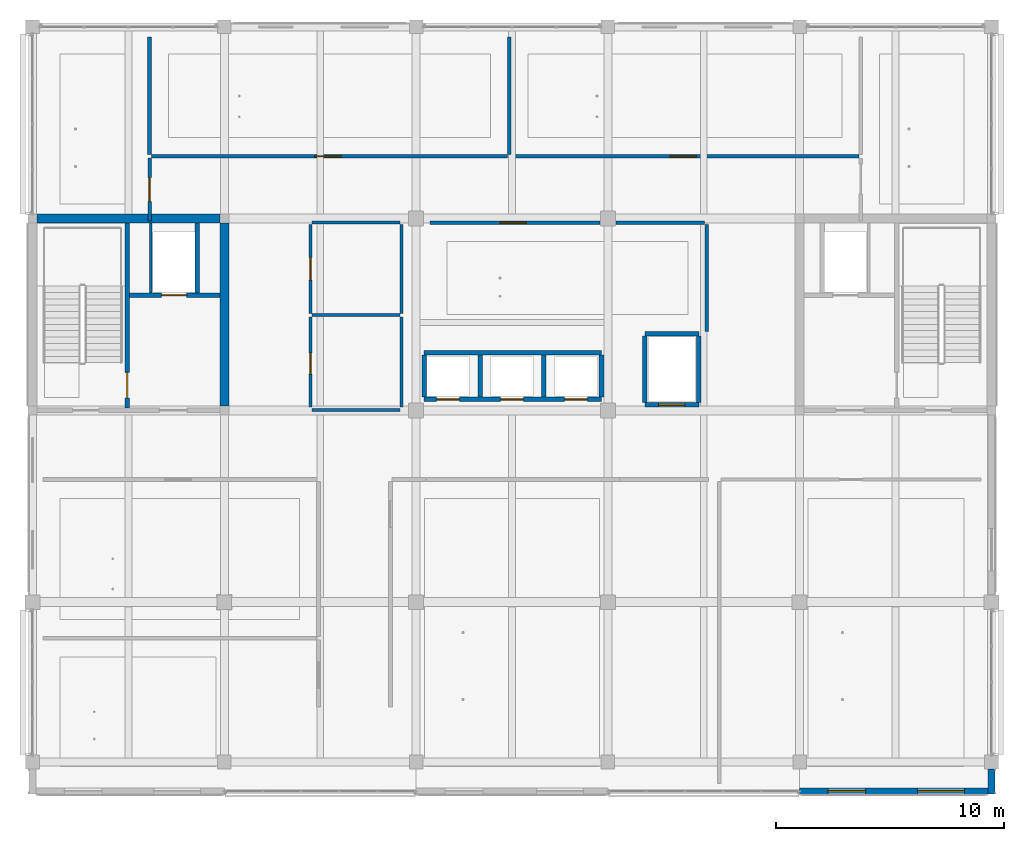
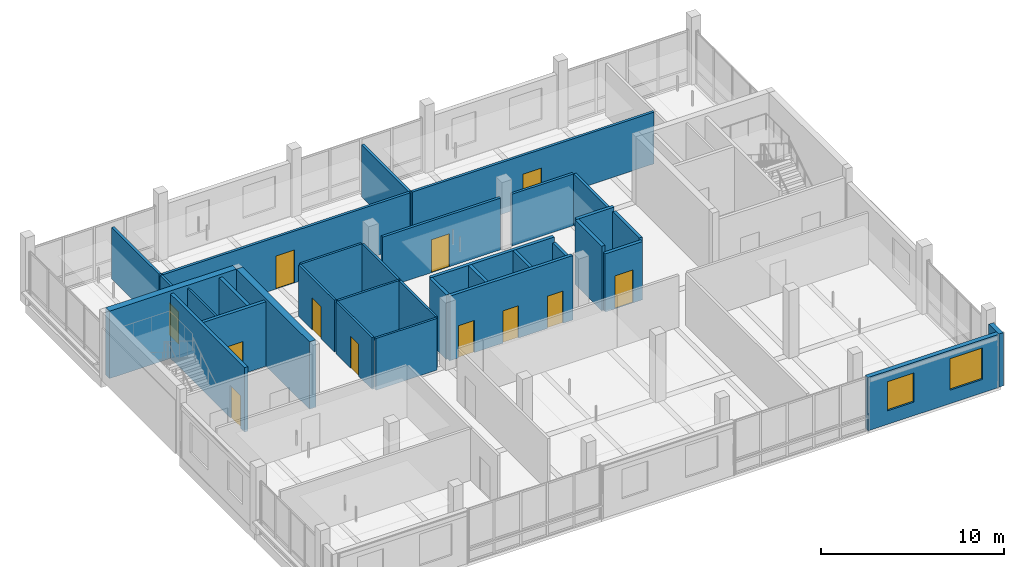
# One storey, part 12 of 30: 33 walls, 12 doors, 2 windows, 14 openings.
"""IFC4 building model written with IfcOpenShell, lengths in metres."""

from ifc_helpers import new_model, si_unit, direction, frame, frame_2d, origin, place, context, subcontext, project, spatial, rectangle, extrude, material, layer, layer_set, type_object, element, fill, save


model = new_model("IFC4")

# Units and contexts
model_context = context("Model", 3, precision=1e-05, world=origin(), true_north=direction((0.0, 1.0)))
body_context = subcontext(model_context, "Body", "Model", "MODEL_VIEW")
ifc_project = project(units=[si_unit("LENGTHUNIT", "METRE"), si_unit("AREAUNIT", "SQUARE_METRE"), si_unit("VOLUMEUNIT", "CUBIC_METRE"), si_unit("PLANEANGLEUNIT", "RADIAN"), si_unit("MASSUNIT", "GRAM", prefix="KILO")], contexts=[model_context])

# Site, building, storey
site_placement = place(None, origin())
site = spatial("IfcSite", under=ifc_project, at=site_placement, CompositionType="ELEMENT")
building_placement = place(site_placement, origin())
building = spatial("IfcBuilding", under=site, at=building_placement, Name="Telukmera Botanical Conservatory", CompositionType="ELEMENT")
storey_placement = place(building_placement, frame((0.0, 0.0, 60.0)))
storey = spatial("IfcBuildingStorey", under=building, at=storey_placement, Name="L13", CompositionType="ELEMENT", Elevation=60.0)

# Wall, openings, windows
ifc_material_1 = material(Name="Precast concrete C40/50", Category="concrete")
ifc_layer_1 = layer(ifc_material_1, 0.280029296875)
ifc_layer_set_1 = layer_set([ifc_layer_1], Name="Precast concrete C40/50")
wall_type_1 = type_object("IfcWallType", Name="Exterior Laboratory Modular Precast Wall 280", PredefinedType="ELEMENTEDWALL", material=ifc_layer_set_1)
wall_1_placement = place(storey_placement, frame((92.402099609375, 9.320068359375, 0.0), z_axis=(0.0, 0.0, 1.0), x_axis=(1.0, 0.0, 0.0)))
wall_1 = element("IfcWall", 1, at=wall_1_placement, inside=storey, type_object=wall_type_1, Name="Exterior Precast Wall EW06 V4:L13:S5", PredefinedType="ELEMENTEDWALL", context=body_context, shape_type="SweptSolid", body=[
    extrude(rectangle(XDim=8.245849609375, YDim=0.280029296875, at=frame_2d((4.123046875, 0.0))), origin(), (0.0, 0.0, 1.0), 3.550048828125),
])
opening_1_placement = place(wall_1_placement, frame((1.236572265625, 0.0, 0.89990234375)))
opening_1 = element("IfcOpeningElement", 2, at=opening_1_placement, cuts=wall_1, Name="Opening W10", PredefinedType="OPENING", context=body_context, shape_type="SweptSolid", body=[
    extrude(rectangle(XDim=1.64990234375, YDim=1.949951171875, at=frame_2d((0.824951171875, 0.97509765625))), frame((0.0, 0.14990234375, 0.0), z_axis=(0.0, -1.0, 0.0), x_axis=(1.0, 0.0, 0.0)), (0.0, 0.0, 1.0), 0.300048828125),
])
opening_2_placement = place(wall_1_placement, frame((5.159423828125, 0.0, 0.89990234375)))
opening_2 = element("IfcOpeningElement", 3, at=opening_2_placement, cuts=wall_1, Name="Opening W14", PredefinedType="OPENING", context=body_context, shape_type="SweptSolid", body=[
    extrude(rectangle(XDim=2.050048828125, YDim=2.10009765625, at=frame_2d((1.02490234375, 1.050048828125))), frame((0.0, 0.14990234375, 0.0), z_axis=(0.0, -1.0, 0.0), x_axis=(1.0, 0.0, 0.0)), (0.0, 0.0, 1.0), 0.300048828125),
])
ifc_material_2 = material(Name="Thermally broken anodised aluminium frame with low-E double glazing", Category="aluminium")
window_type_1 = type_object("IfcWindowType", Name="Double Horizontal Phytochemistry Lab Window 1650x1950", PartitioningType="DOUBLE_PANEL_HORIZONTAL", PredefinedType="WINDOW", material=ifc_material_2)
window_1_placement = place(opening_1_placement, origin())
window_1 = element("IfcWindow", 4, at=window_1_placement, inside=storey, type_object=window_type_1, Name="Facade Window W10 V4:L13:S5 1", OverallHeight=1.949951171875, OverallWidth=1.64990234375, PartitioningType="DOUBLE_PANEL_HORIZONTAL", PredefinedType="WINDOW", context=body_context, shape_type="SweptSolid", body=[
    extrude(rectangle(XDim=1.64990234375, YDim=1.949951171875, at=frame_2d((0.824951171875, 0.97509765625))), frame((0.0, 0.030029296875, 0.0), z_axis=(0.0, -1.0, 0.0), x_axis=(1.0, 0.0, 0.0)), (0.0, 0.0, 1.0), 0.06005859375),
])
fill(opening_1, window_1)
window_type_2 = type_object("IfcWindowType", Name="Triple Vertical Microscopy Lab Window 2050x2100", PartitioningType="TRIPLE_PANEL_VERTICAL", PredefinedType="WINDOW", material=ifc_material_2)
window_2_placement = place(opening_2_placement, origin())
window_2 = element("IfcWindow", 5, at=window_2_placement, inside=storey, type_object=window_type_2, Name="Facade Window W14 V4:L13:S5 2", OverallHeight=2.10009765625, OverallWidth=2.050048828125, PartitioningType="TRIPLE_PANEL_VERTICAL", PredefinedType="WINDOW", context=body_context, shape_type="SweptSolid", body=[
    extrude(rectangle(XDim=2.050048828125, YDim=2.10009765625, at=frame_2d((1.02490234375, 1.050048828125))), frame((0.0, 0.030029296875, 0.0), z_axis=(0.0, -1.0, 0.0), x_axis=(1.0, 0.0, 0.0)), (0.0, 0.0, 1.0), 0.06005859375),
])
fill(opening_2, window_2)

# Wall
ifc_material_3 = material(Name="Terracotta-faced precast concrete C40/50", Category="masonry")
ifc_layer_2 = layer(ifc_material_3, 0.300048828125)
ifc_layer_set_2 = layer_set([ifc_layer_2], Name="Terracotta-faced precast concrete C40/50")
wall_type_2 = type_object("IfcWallType", Name="Exterior Polychrome Terracotta Precast Wall 300", PredefinedType="SOLIDWALL", material=ifc_layer_set_2)
wall_2_placement = place(storey_placement, frame((100.800048828125, 9.199951171875, 0.0), z_axis=(0.0, 0.0, 1.0), x_axis=(0.0, 1.0, 0.0)))
element("IfcWall", 6, at=wall_2_placement, inside=storey, type_object=wall_type_2, Name="Exterior Precast Wall EW02 V4:L13:SEC", PredefinedType="SOLIDWALL", context=body_context, shape_type="SweptSolid", body=[
    extrude(rectangle(XDim=1.09814453125, YDim=0.300048828125, at=frame_2d((0.549072265625, 0.0))), origin(), (0.0, 0.0, 1.0), 3.550048828125),
])

# Wall, opening, door
ifc_material_4 = material(Name="Concrete C40/50", Category="concrete")
ifc_layer_3 = layer(ifc_material_4, 0.199951171875)
ifc_layer_set_3 = layer_set([ifc_layer_3], Name="Concrete C40/50")
wall_type_3 = type_object("IfcWallType", Name="WT-CORE-200", PredefinedType="SOLIDWALL", material=ifc_layer_set_3)
wall_3_placement = place(storey_placement, frame((62.949951171875, 26.10009765625, 0.0), z_axis=(0.0, 0.0, 1.0), x_axis=(0.0, 1.0, 0.0)))
wall_3 = element("IfcWall", 7, at=wall_3_placement, inside=storey, type_object=wall_type_3, Name="L13 Core C1 Stair-Lobby Wall", PredefinedType="SOLIDWALL", context=body_context, shape_type="SweptSolid", body=[
    extrude(rectangle(XDim=8.099853515625, YDim=0.199951171875, at=frame_2d((4.0498046875, 0.0))), origin(), (0.0, 0.0, 1.0), 4.300048828125),
])
opening_3_placement = place(wall_3_placement, frame((0.449951171875, 0.0, 0.0)))
opening_3 = element("IfcOpeningElement", 8, at=opening_3_placement, cuts=wall_3, Name="Opening FD60B", PredefinedType="OPENING", context=body_context, shape_type="SweptSolid", body=[
    extrude(rectangle(XDim=1.1201171875, YDim=2.14990234375, at=frame_2d((0.56005859375, 1.074951171875))), frame((0.0, 0.10986328125, 0.0), z_axis=(0.0, -1.0, 0.0), x_axis=(1.0, 0.0, 0.0)), (0.0, 0.0, 1.0), 0.219970703125),
])
ifc_material_5 = material(Name="Hardwood fire door", Category="wood")
door_type_1 = type_object("IfcDoorType", Name="DT-FD60-02", OperationType="NOTDEFINED", PredefinedType="DOOR", material=ifc_material_5)
door_1_placement = place(opening_3_placement, origin())
door_1 = element("IfcDoor", 9, at=door_1_placement, inside=storey, type_object=door_type_1, Name="L13 Firefighting Lobby C1 to ST1 Door", OperationType="SINGLE_SWING_RIGHT", OverallHeight=2.14990234375, OverallWidth=1.1201171875, PredefinedType="DOOR", context=body_context, shape_type="SweptSolid", body=[
    extrude(rectangle(XDim=1.1201171875, YDim=2.14990234375, at=frame_2d((0.56005859375, 1.074951171875))), frame((0.0, 0.02490234375, 0.0), z_axis=(0.0, -1.0, 0.0), x_axis=(1.0, 0.0, 0.0)), (0.0, 0.0, 1.0), 0.050048828125),
])
fill(opening_3, door_1)

wall_4_placement = place(storey_placement, frame((63.050048828125, 31.050048828125, 0.0), z_axis=(0.0, 0.0, 1.0), x_axis=(1.0, 0.0, 0.0)))
wall_4 = element("IfcWall", 10, at=wall_4_placement, inside=storey, type_object=wall_type_3, Name="L13 Fire Lift FL1 Shaft Front Wall", PredefinedType="SOLIDWALL", context=body_context, shape_type="SweptSolid", body=[
    extrude(rectangle(XDim=3.949951171875, YDim=0.199951171875, at=frame_2d((1.97509765625, 0.0))), origin(), (0.0, 0.0, 1.0), 4.300048828125),
])
opening_4_placement = place(wall_4_placement, frame((1.39990234375, 0.0, 0.0)))
opening_4 = element("IfcOpeningElement", 11, at=opening_4_placement, cuts=wall_4, Name="Opening LD01", PredefinedType="OPENING", context=body_context, shape_type="SweptSolid", body=[
    extrude(rectangle(XDim=1.10009765625, YDim=2.14990234375, at=frame_2d((0.550048828125, 1.074951171875))), frame((0.0, 0.10986328125, 0.0), z_axis=(0.0, -1.0, 0.0), x_axis=(1.0, 0.0, 0.0)), (0.0, 0.0, 1.0), 0.219970703125),
])
ifc_material_6 = material(Name="Stainless steel 316", Category="steel")
door_type_2 = type_object("IfcDoorType", Name="DT-LD01", OperationType="SLIDING_TO_LEFT", PredefinedType="DOOR", material=ifc_material_6)
door_2_placement = place(opening_4_placement, frame((1.10009765625, 0.0, 0.0), z_axis=(0.0, 0.0, 1.0), x_axis=(-1.0, 0.0, 0.0)))
door_2 = element("IfcDoor", 12, at=door_2_placement, inside=storey, type_object=door_type_2, Name="L13 Lift Landing Door FL1", OperationType="SLIDING_TO_LEFT", OverallHeight=2.14990234375, OverallWidth=1.10009765625, PredefinedType="DOOR", context=body_context, shape_type="SweptSolid", body=[
    extrude(rectangle(XDim=1.10009765625, YDim=2.14990234375, at=frame_2d((0.550048828125, 1.074951171875))), frame((0.0, 0.02490234375, 0.0), z_axis=(0.0, -1.0, 0.0), x_axis=(1.0, 0.0, 0.0)), (0.0, 0.0, 1.0), 0.050048828125),
])
fill(opening_4, door_2)

# Wall
wall_5_placement = place(storey_placement, frame((66.02001953125, 31.14990234375, 0.0), z_axis=(0.0, 0.0, 1.0), x_axis=(0.0, 1.0, 0.0)))
element("IfcWall", 13, at=wall_5_placement, inside=storey, type_object=wall_type_3, Name="L13 Fire Lift FL1 Shaft East Wall", PredefinedType="SOLIDWALL", context=body_context, shape_type="SweptSolid", body=[
    extrude(rectangle(XDim=3.050048828125, YDim=0.199951171875, at=frame_2d((1.52490234375, 0.0))), origin(), (0.0, 0.0, 1.0), 4.300048828125),
])

# Wall, openings, doors
wall_6_placement = place(storey_placement, frame((75.949951171875, 26.47998046875, 0.0), z_axis=(0.0, 0.0, 1.0), x_axis=(1.0, 0.0, 0.0)))
wall_6 = element("IfcWall", 14, at=wall_6_placement, inside=storey, type_object=wall_type_3, Name="L13 Passenger Lift Bank Front Wall", PredefinedType="SOLIDWALL", context=body_context, shape_type="SweptSolid", body=[
    extrude(rectangle(XDim=7.77001953125, YDim=0.199951171875, at=frame_2d((3.885009765625, 0.0))), origin(), (0.0, 0.0, 1.0), 4.300048828125),
])
opening_5_placement = place(wall_6_placement, frame((0.550048828125, 0.0, 0.0)))
opening_5 = element("IfcOpeningElement", 15, at=opening_5_placement, cuts=wall_6, Name="Opening LD03", PredefinedType="OPENING", context=body_context, shape_type="SweptSolid", body=[
    extrude(rectangle(XDim=1.0, YDim=2.14990234375, at=frame_2d((0.5, 1.074951171875))), frame((0.0, 0.10986328125, 0.0), z_axis=(0.0, -1.0, 0.0), x_axis=(1.0, 0.0, 0.0)), (0.0, 0.0, 1.0), 0.219970703125),
])
opening_6_placement = place(wall_6_placement, frame((3.35009765625, 0.0, 0.0)))
opening_6 = element("IfcOpeningElement", 16, at=opening_6_placement, cuts=wall_6, Name="Opening LD03", PredefinedType="OPENING", context=body_context, shape_type="SweptSolid", body=[
    extrude(rectangle(XDim=1.0, YDim=2.14990234375, at=frame_2d((0.5, 1.074951171875))), frame((0.0, 0.10986328125, 0.0), z_axis=(0.0, -1.0, 0.0), x_axis=(1.0, 0.0, 0.0)), (0.0, 0.0, 1.0), 0.219970703125),
])
opening_7_placement = place(wall_6_placement, frame((6.14990234375, 0.0, 0.0)))
opening_7 = element("IfcOpeningElement", 17, at=opening_7_placement, cuts=wall_6, Name="Opening LD03", PredefinedType="OPENING", context=body_context, shape_type="SweptSolid", body=[
    extrude(rectangle(XDim=1.0, YDim=2.14990234375, at=frame_2d((0.5, 1.074951171875))), frame((0.0, 0.10986328125, 0.0), z_axis=(0.0, -1.0, 0.0), x_axis=(1.0, 0.0, 0.0)), (0.0, 0.0, 1.0), 0.219970703125),
])
door_type_3 = type_object("IfcDoorType", Name="DT-LD03", OperationType="SLIDING_TO_LEFT", PredefinedType="DOOR", material=ifc_material_6)
door_3_placement = place(opening_5_placement, frame((1.0, 0.0, 0.0), z_axis=(0.0, 0.0, 1.0), x_axis=(-1.0, 0.0, 0.0)))
door_3 = element("IfcDoor", 18, at=door_3_placement, inside=storey, type_object=door_type_3, Name="L13 Lift Landing Door PL1", OperationType="SLIDING_TO_LEFT", OverallHeight=2.14990234375, OverallWidth=1.0, PredefinedType="DOOR", context=body_context, shape_type="SweptSolid", body=[
    extrude(rectangle(XDim=1.0, YDim=2.14990234375, at=frame_2d((0.5, 1.074951171875))), frame((0.0, 0.02490234375, 0.0), z_axis=(0.0, -1.0, 0.0), x_axis=(1.0, 0.0, 0.0)), (0.0, 0.0, 1.0), 0.050048828125),
])
fill(opening_5, door_3)
door_4_placement = place(opening_6_placement, frame((1.0, 0.0, 0.0), z_axis=(0.0, 0.0, 1.0), x_axis=(-1.0, 0.0, 0.0)))
door_4 = element("IfcDoor", 19, at=door_4_placement, inside=storey, type_object=door_type_3, Name="L13 Lift Landing Door PL2", OperationType="SLIDING_TO_LEFT", OverallHeight=2.14990234375, OverallWidth=1.0, PredefinedType="DOOR", context=body_context, shape_type="SweptSolid", body=[
    extrude(rectangle(XDim=1.0, YDim=2.14990234375, at=frame_2d((0.5, 1.074951171875))), frame((0.0, 0.02490234375, 0.0), z_axis=(0.0, -1.0, 0.0), x_axis=(1.0, 0.0, 0.0)), (0.0, 0.0, 1.0), 0.050048828125),
])
fill(opening_6, door_4)
door_5_placement = place(opening_7_placement, frame((1.0, 0.0, 0.0), z_axis=(0.0, 0.0, 1.0), x_axis=(-1.0, 0.0, 0.0)))
door_5 = element("IfcDoor", 20, at=door_5_placement, inside=storey, type_object=door_type_3, Name="L13 Lift Landing Door PL3", OperationType="SLIDING_TO_LEFT", OverallHeight=2.14990234375, OverallWidth=1.0, PredefinedType="DOOR", context=body_context, shape_type="SweptSolid", body=[
    extrude(rectangle(XDim=1.0, YDim=2.14990234375, at=frame_2d((0.5, 1.074951171875))), frame((0.0, 0.02490234375, 0.0), z_axis=(0.0, -1.0, 0.0), x_axis=(1.0, 0.0, 0.0)), (0.0, 0.0, 1.0), 0.050048828125),
])
fill(opening_7, door_5)

# Walls
wall_7_placement = place(storey_placement, frame((75.949951171875, 28.52001953125, 0.0), z_axis=(0.0, 0.0, 1.0), x_axis=(1.0, 0.0, 0.0)))
element("IfcWall", 21, at=wall_7_placement, inside=storey, type_object=wall_type_3, Name="L13 Passenger Lift Bank Rear Wall", PredefinedType="SOLIDWALL", context=body_context, shape_type="SweptSolid", body=[
    extrude(rectangle(XDim=7.77001953125, YDim=0.199951171875, at=frame_2d((3.885009765625, 0.0))), origin(), (0.0, 0.0, 1.0), 4.300048828125),
])
for number, where, z_axis, x_axis, name in (
    (22, (75.949951171875, 26.580078125, 0.0), (0.0, 0.0, 1.0), (0.0, 1.0, 0.0), "L13 Passenger Lift Shaft Wall 1"),
    (23, (78.39990234375, 26.580078125, 0.0), (0.0, 0.0, 1.0), (0.0, 1.0, 0.0), "L13 Passenger Lift Shaft Wall 2"),
    (24, (81.199951171875, 26.580078125, 0.0), (0.0, 0.0, 1.0), (0.0, 1.0, 0.0), "L13 Passenger Lift Shaft Wall 3"),
):
    element("IfcWall", number, at=place(storey_placement, frame(where, z_axis=z_axis, x_axis=x_axis)), inside=storey, type_object=wall_type_3, Name=name, PredefinedType="SOLIDWALL", context=body_context, shape_type="SweptSolid", body=[
        extrude(rectangle(XDim=1.83984375, YDim=0.199951171875, at=frame_2d((0.919921875, 0.0))), origin(), (0.0, 0.0, 1.0), 4.300048828125),
    ])
wall_8_placement = place(storey_placement, frame((83.719970703125, 26.580078125, 0.0), z_axis=(0.0, 0.0, 1.0), x_axis=(0.0, 1.0, 0.0)))
element("IfcWall", 25, at=wall_8_placement, inside=storey, type_object=wall_type_3, Name="L13 Passenger Lift Shaft Wall 4", PredefinedType="SOLIDWALL", context=body_context, shape_type="SweptSolid", body=[
    extrude(rectangle(XDim=1.83984375, YDim=0.199951171875, at=frame_2d((0.919921875, 0.0))), origin(), (0.0, 0.0, 1.0), 3.929931640625),
])

# Wall, opening, door
wall_9_placement = place(storey_placement, frame((85.6201171875, 26.25, 0.0), z_axis=(0.0, 0.0, 1.0), x_axis=(1.0, 0.0, 0.0)))
wall_9 = element("IfcWall", 26, at=wall_9_placement, inside=storey, type_object=wall_type_3, Name="L13 Goods Lift GL1 Front Wall", PredefinedType="SOLIDWALL", context=body_context, shape_type="SweptSolid", body=[
    extrude(rectangle(XDim=2.35986328125, YDim=0.199951171875, at=frame_2d((1.179931640625, 0.0))), origin(), (0.0, 0.0, 1.0), 3.8798828125),
])
opening_8_placement = place(wall_9_placement, frame((0.60498046875, 0.0, 0.0)))
opening_8 = element("IfcOpeningElement", 27, at=opening_8_placement, cuts=wall_9, Name="Opening LD02", PredefinedType="OPENING", context=body_context, shape_type="SweptSolid", body=[
    extrude(rectangle(XDim=1.14990234375, YDim=2.199951171875, at=frame_2d((0.574951171875, 1.10009765625))), frame((0.0, 0.10986328125, 0.0), z_axis=(0.0, -1.0, 0.0), x_axis=(1.0, 0.0, 0.0)), (0.0, 0.0, 1.0), 0.219970703125),
])
door_type_4 = type_object("IfcDoorType", Name="DT-LD02", OperationType="SLIDING_TO_LEFT", PredefinedType="DOOR", material=ifc_material_6)
door_6_placement = place(opening_8_placement, frame((1.14990234375, 0.0, 0.0), z_axis=(0.0, 0.0, 1.0), x_axis=(-1.0, 0.0, 0.0)))
door_6 = element("IfcDoor", 28, at=door_6_placement, inside=storey, type_object=door_type_4, Name="L13 Lift Landing Door GL1", OperationType="SLIDING_TO_LEFT", OverallHeight=2.199951171875, OverallWidth=1.14990234375, PredefinedType="DOOR", context=body_context, shape_type="SweptSolid", body=[
    extrude(rectangle(XDim=1.14990234375, YDim=2.199951171875, at=frame_2d((0.574951171875, 1.10009765625))), frame((0.0, 0.02490234375, 0.0), z_axis=(0.0, -1.0, 0.0), x_axis=(1.0, 0.0, 0.0)), (0.0, 0.0, 1.0), 0.050048828125),
])
fill(opening_8, door_6)

# Walls
wall_10_placement = place(storey_placement, frame((85.6201171875, 29.35009765625, 0.0), z_axis=(0.0, 0.0, 1.0), x_axis=(1.0, 0.0, 0.0)))
element("IfcWall", 29, at=wall_10_placement, inside=storey, type_object=wall_type_3, Name="L13 Goods Lift GL1 Rear Wall", PredefinedType="SOLIDWALL", context=body_context, shape_type="SweptSolid", body=[
    extrude(rectangle(XDim=2.35986328125, YDim=0.199951171875, at=frame_2d((1.179931640625, 0.0))), origin(), (0.0, 0.0, 1.0), 4.300048828125),
])
wall_11_placement = place(storey_placement, frame((85.6201171875, 26.35009765625, 0.0), z_axis=(0.0, 0.0, 1.0), x_axis=(0.0, 1.0, 0.0)))
element("IfcWall", 30, at=wall_11_placement, inside=storey, type_object=wall_type_3, Name="L13 Goods Lift GL1 Side Wall 1", PredefinedType="SOLIDWALL", context=body_context, shape_type="SweptSolid", body=[
    extrude(rectangle(XDim=2.89990234375, YDim=0.199951171875, at=frame_2d((1.449951171875, 0.0))), origin(), (0.0, 0.0, 1.0), 4.300048828125),
])
wall_12_placement = place(storey_placement, frame((87.97998046875, 26.35009765625, 0.0), z_axis=(0.0, 0.0, 1.0), x_axis=(0.0, 1.0, 0.0)))
element("IfcWall", 31, at=wall_12_placement, inside=storey, type_object=wall_type_3, Name="L13 Goods Lift GL1 Side Wall 2", PredefinedType="SOLIDWALL", context=body_context, shape_type="SweptSolid", body=[
    extrude(rectangle(XDim=2.89990234375, YDim=0.199951171875, at=frame_2d((1.449951171875, 0.0))), origin(), (0.0, 0.0, 1.0), 4.030029296875),
])
ifc_material_7 = material(Name="Gypsum acoustic stud partition")
ifc_layer_4 = layer(ifc_material_7, 0.159912109375)
ifc_layer_set_4 = layer_set([ifc_layer_4], Name="Gypsum acoustic stud partition")
wall_type_4 = type_object("IfcWallType", Name="WT-LAB-160", PredefinedType="PARTITIONING", material=ifc_layer_set_4)
wall_13_placement = place(storey_placement, frame((88.324951171875, 29.449951171875, 0.0), z_axis=(0.0, 0.0, 1.0), x_axis=(0.0, 1.0, 0.0)))
element("IfcWall", 32, at=wall_13_placement, inside=storey, type_object=wall_type_4, Name="L13 Interior Partition 06", PredefinedType="PARTITIONING", context=body_context, shape_type="SweptSolid", body=[
    extrude(rectangle(XDim=4.699951171875, YDim=0.159912109375, at=frame_2d((2.35009765625, 0.0))), origin(), (0.0, 0.0, 1.0), 3.449951171875),
])

# Wall, opening, door
wall_14_placement = place(storey_placement, frame((76.199951171875, 34.22509765625, 0.0), z_axis=(0.0, 0.0, 1.0), x_axis=(1.0, 0.0, 0.0)))
wall_14 = element("IfcWall", 33, at=wall_14_placement, inside=storey, type_object=wall_type_4, Name="L13 Interior Partition 07", PredefinedType="PARTITIONING", context=body_context, shape_type="SweptSolid", body=[
    extrude(rectangle(XDim=7.445068359375, YDim=0.159912109375, at=frame_2d((3.72265625, 0.0))), origin(), (0.0, 0.0, 1.0), 3.449951171875),
])
opening_9_placement = place(wall_14_placement, frame((3.068359375, 0.0, 0.0)))
opening_9 = element("IfcOpeningElement", 34, at=opening_9_placement, cuts=wall_14, Name="Opening ID09", PredefinedType="OPENING", context=body_context, shape_type="SweptSolid", body=[
    extrude(rectangle(XDim=1.159912109375, YDim=2.199951171875, at=frame_2d((0.580078125, 1.10009765625))), frame((0.0, 0.08984375, 0.0), z_axis=(0.0, -1.0, 0.0), x_axis=(1.0, 0.0, 0.0)), (0.0, 0.0, 1.0), 0.179931640625),
])
ifc_material_8 = material(Name="Phenolic faced laboratory fire door")
door_type_5 = type_object("IfcDoorType", Name="DT-LAB-116", OperationType="NOTDEFINED", PredefinedType="DOOR", material=ifc_material_8)
door_7_placement = place(opening_9_placement, frame((1.159912109375, 0.0, 0.0), z_axis=(0.0, 0.0, 1.0), x_axis=(-1.0, 0.0, 0.0)))
door_7 = element("IfcDoor", 35, at=door_7_placement, inside=storey, type_object=door_type_5, Name="L13 Herbarium DNA Barcoding Room Door", OperationType="SINGLE_SWING_RIGHT", OverallHeight=2.199951171875, OverallWidth=1.159912109375, PredefinedType="DOOR", context=body_context, shape_type="SweptSolid", body=[
    extrude(rectangle(XDim=1.159912109375, YDim=2.199951171875, at=frame_2d((0.580078125, 1.10009765625))), frame((0.0, 0.02490234375, 0.0), z_axis=(0.0, -1.0, 0.0), x_axis=(1.0, 0.0, 0.0)), (0.0, 0.0, 1.0), 0.050048828125),
])
fill(opening_9, door_7)

# Wall
wall_15_placement = place(storey_placement, frame((84.35498046875, 34.22509765625, 0.0), z_axis=(0.0, 0.0, 1.0), x_axis=(1.0, 0.0, 0.0)))
element("IfcWall", 36, at=wall_15_placement, inside=storey, type_object=wall_type_4, Name="L13 Interior Partition 08", PredefinedType="PARTITIONING", context=body_context, shape_type="SweptSolid", body=[
    extrude(rectangle(XDim=3.880126953125, YDim=0.159912109375, at=frame_2d((1.93994140625, 0.0))), origin(), (0.0, 0.0, 1.0), 3.449951171875),
])

# Wall, opening, door
wall_16_placement = place(storey_placement, frame((64.010009765625, 37.125, 0.0), z_axis=(0.0, 0.0, 1.0), x_axis=(1.0, 0.0, 0.0)))
wall_16 = element("IfcWall", 37, at=wall_16_placement, inside=storey, type_object=wall_type_4, Name="L13 Interior Partition 20", PredefinedType="PARTITIONING", context=body_context, shape_type="SweptSolid", body=[
    extrude(rectangle(XDim=15.590087890625, YDim=0.159912109375, at=frame_2d((7.794921875, 0.0))), origin(), (0.0, 0.0, 1.0), 3.449951171875),
])
opening_10_placement = place(wall_16_placement, frame((7.14013671875, 0.0, 0.0)))
opening_10 = element("IfcOpeningElement", 38, at=opening_10_placement, cuts=wall_16, Name="Opening ID09", PredefinedType="OPENING", context=body_context, shape_type="SweptSolid", body=[
    extrude(rectangle(XDim=1.159912109375, YDim=2.199951171875, at=frame_2d((0.580078125, 1.10009765625))), frame((0.0, 0.08984375, 0.0), z_axis=(0.0, -1.0, 0.0), x_axis=(1.0, 0.0, 0.0)), (0.0, 0.0, 1.0), 0.179931640625),
])
door_8_placement = place(opening_10_placement, origin())
door_8 = element("IfcDoor", 39, at=door_8_placement, inside=storey, type_object=door_type_5, Name="L13 Pollination Biology Laboratory Door", OperationType="SINGLE_SWING_RIGHT", OverallHeight=2.199951171875, OverallWidth=1.159912109375, PredefinedType="DOOR", context=body_context, shape_type="SweptSolid", body=[
    extrude(rectangle(XDim=1.159912109375, YDim=2.199951171875, at=frame_2d((0.580078125, 1.10009765625))), frame((0.0, 0.02490234375, 0.0), z_axis=(0.0, -1.0, 0.0), x_axis=(1.0, 0.0, 0.0)), (0.0, 0.0, 1.0), 0.050048828125),
])
fill(opening_10, door_8)

wall_17_placement = place(storey_placement, frame((79.75, 37.125, 0.0), z_axis=(0.0, 0.0, 1.0), x_axis=(1.0, 0.0, 0.0)))
wall_17 = element("IfcWall", 40, at=wall_17_placement, inside=storey, type_object=wall_type_4, Name="L13 Interior Partition 21", PredefinedType="PARTITIONING", context=body_context, shape_type="SweptSolid", body=[
    extrude(rectangle(XDim=15.25, YDim=0.159912109375, at=frame_2d((7.625, 0.0))), origin(), (0.0, 0.0, 1.0), 3.449951171875),
])
opening_11_placement = place(wall_17_placement, frame((6.97021484375, 0.0, 0.0)))
opening_11 = element("IfcOpeningElement", 41, at=opening_11_placement, cuts=wall_17, Name="Opening ID09", PredefinedType="OPENING", context=body_context, shape_type="SweptSolid", body=[
    extrude(rectangle(XDim=1.159912109375, YDim=2.199951171875, at=frame_2d((0.580078125, 1.10009765625))), frame((0.0, 0.08984375, 0.0), z_axis=(0.0, -1.0, 0.0), x_axis=(1.0, 0.0, 0.0)), (0.0, 0.0, 1.0), 0.179931640625),
])
door_9_placement = place(opening_11_placement, origin())
door_9 = element("IfcDoor", 42, at=door_9_placement, inside=storey, type_object=door_type_5, Name="L13 Seed Dispersal Research Laboratory Door", OperationType="SINGLE_SWING_LEFT", OverallHeight=2.199951171875, OverallWidth=1.159912109375, PredefinedType="DOOR", context=body_context, shape_type="SweptSolid", body=[
    extrude(rectangle(XDim=1.159912109375, YDim=2.199951171875, at=frame_2d((0.580078125, 1.10009765625))), frame((0.0, 0.02490234375, 0.0), z_axis=(0.0, -1.0, 0.0), x_axis=(1.0, 0.0, 0.0)), (0.0, 0.0, 1.0), 0.050048828125),
])
fill(opening_11, door_9)

# Walls
wall_18_placement = place(storey_placement, frame((63.925048828125, 37.199951171875, 0.0), z_axis=(0.0, 0.0, 1.0), x_axis=(0.0, 1.0, 0.0)))
element("IfcWall", 43, at=wall_18_placement, inside=storey, type_object=wall_type_4, Name="L13 Interior Partition 23", PredefinedType="PARTITIONING", context=body_context, shape_type="SweptSolid", body=[
    extrude(rectangle(XDim=5.150146484375, YDim=0.159912109375, at=frame_2d((2.5751953125, 0.0))), origin(), (0.0, 0.0, 1.0), 3.449951171875),
])
wall_19_placement = place(storey_placement, frame((79.675048828125, 37.215087890625, 0.0), z_axis=(0.0, 0.0, 1.0), x_axis=(0.0, 1.0, 0.0)))
element("IfcWall", 44, at=wall_19_placement, inside=storey, type_object=wall_type_4, Name="L13 Interior Partition 24", PredefinedType="PARTITIONING", context=body_context, shape_type="SweptSolid", body=[
    extrude(rectangle(XDim=5.135009765625, YDim=0.159912109375, at=frame_2d((2.5673828125, 0.0))), origin(), (0.0, 0.0, 1.0), 3.449951171875),
])
ifc_material_9 = material(Name="Gypsum shaftwall liner")
ifc_layer_5 = layer(ifc_material_9, 0.110107421875)
ifc_layer_set_5 = layer_set([ifc_layer_5], Name="Gypsum shaftwall liner")
wall_type_5 = type_object("IfcWallType", Name="WT-RISER-110", PredefinedType="PARTITIONING", material=ifc_layer_set_5)
wall_20_placement = place(storey_placement, frame((63.97998046875, 31.14990234375, 0.0), z_axis=(0.0, 0.0, 1.0), x_axis=(0.0, 1.0, 0.0)))
element("IfcWall", 45, at=wall_20_placement, inside=storey, type_object=wall_type_5, Name="L13 Wet Riser C1 Shaft Wall", PredefinedType="PARTITIONING", context=body_context, shape_type="SweptSolid", body=[
    extrude(rectangle(XDim=3.050048828125, YDim=0.110107421875, at=frame_2d((1.52490234375, 0.0))), origin(), (0.0, 0.0, 1.0), 4.300048828125),
])

# Wall, opening, door
ifc_layer_6 = layer(ifc_material_7, 0.14990234375)
ifc_layer_set_6 = layer_set([ifc_layer_6], Name="Gypsum acoustic stud partition")
wall_type_6 = type_object("IfcWallType", Name="WT-STD-150", PredefinedType="PARTITIONING", material=ifc_layer_set_6)
wall_21_placement = place(storey_placement, frame((63.925048828125, 34.300048828125, 0.0), z_axis=(0.0, 0.0, 1.0), x_axis=(0.0, 1.0, 0.0)))
wall_21 = element("IfcWall", 46, at=wall_21_placement, inside=storey, type_object=wall_type_6, Name="L13 Interior Partition 19", PredefinedType="PARTITIONING", context=body_context, shape_type="SweptSolid", body=[
    extrude(rectangle(XDim=2.75, YDim=0.14990234375, at=frame_2d((1.375, 0.0))), origin(), (0.0, 0.0, 1.0), 3.449951171875),
])
opening_12_placement = place(wall_21_placement, frame((0.85498046875, 0.0, 0.0)))
opening_12 = element("IfcOpeningElement", 47, at=opening_12_placement, cuts=wall_21, Name="Opening ID13", PredefinedType="OPENING", context=body_context, shape_type="SweptSolid", body=[
    extrude(rectangle(XDim=1.0400390625, YDim=2.14990234375, at=frame_2d((0.52001953125, 1.074951171875))), frame((0.0, 0.0849609375, 0.0), z_axis=(0.0, -1.0, 0.0), x_axis=(1.0, 0.0, 0.0)), (0.0, 0.0, 1.0), 0.169921875),
])
ifc_material_10 = material(Name="Hardwood curation studio door", Category="wood")
door_type_6 = type_object("IfcDoorType", Name="DT-CUR-104", OperationType="NOTDEFINED", PredefinedType="DOOR", material=ifc_material_10)
door_10_placement = place(opening_12_placement, origin())
door_10 = element("IfcDoor", 48, at=door_10_placement, inside=storey, type_object=door_type_6, Name="L13 Remote Sensing Canopy Studio Door", OperationType="SINGLE_SWING_LEFT", OverallHeight=2.14990234375, OverallWidth=1.0400390625, PredefinedType="DOOR", context=body_context, shape_type="SweptSolid", body=[
    extrude(rectangle(XDim=1.0400390625, YDim=2.14990234375, at=frame_2d((0.52001953125, 1.074951171875))), frame((0.0, 0.02490234375, 0.0), z_axis=(0.0, -1.0, 0.0), x_axis=(1.0, 0.0, 0.0)), (0.0, 0.0, 1.0), 0.050048828125),
])
fill(opening_12, door_10)

ifc_material_11 = material(Name="Moisture-resistant blockwork", Category="masonry")
ifc_layer_7 = layer(ifc_material_11, 0.135009765625)
ifc_layer_set_7 = layer_set([ifc_layer_7], Name="Moisture-resistant blockwork")
wall_type_7 = type_object("IfcWallType", Name="WT-WC-135", PredefinedType="PARTITIONING", material=ifc_layer_set_7)
wall_22_placement = place(storey_placement, frame((70.97509765625, 26.14990234375, 0.0), z_axis=(0.0, 0.0, 1.0), x_axis=(0.0, 1.0, 0.0)))
wall_22 = element("IfcWall", 49, at=wall_22_placement, inside=storey, type_object=wall_type_7, Name="L13 Interior Partition 01", PredefinedType="PARTITIONING", context=body_context, shape_type="SweptSolid", body=[
    extrude(rectangle(XDim=3.9501953125, YDim=0.135009765625, at=frame_2d((1.97509765625, 0.0))), origin(), (0.0, 0.0, 1.0), 3.449951171875),
])
opening_13_placement = place(wall_22_placement, frame((1.440673828125, 0.0, 0.0)))
opening_13 = element("IfcOpeningElement", 50, at=opening_13_placement, cuts=wall_22, Name="Opening ID17", PredefinedType="OPENING", context=body_context, shape_type="SweptSolid", body=[
    extrude(rectangle(XDim=0.919921875, YDim=2.1201171875, at=frame_2d((0.4599609375, 1.06005859375))), frame((0.0, 0.077392578125, 0.0), z_axis=(0.0, -1.0, 0.0), x_axis=(1.0, 0.0, 0.0)), (0.0, 0.0, 1.0), 0.155029296875),
])
ifc_material_12 = material(Name="Moisture-resistant laminate WC door")
door_type_7 = type_object("IfcDoorType", Name="DT-WC-092", OperationType="NOTDEFINED", PredefinedType="DOOR", material=ifc_material_12)
door_11_placement = place(opening_13_placement, origin())
door_11 = element("IfcDoor", 51, at=door_11_placement, inside=storey, type_object=door_type_7, Name="L13 Public WC Door", OperationType="SINGLE_SWING_RIGHT", OverallHeight=2.1201171875, OverallWidth=0.919921875, PredefinedType="DOOR", context=body_context, shape_type="SweptSolid", body=[
    extrude(rectangle(XDim=0.919921875, YDim=2.1201171875, at=frame_2d((0.4599609375, 1.06005859375))), frame((0.0, 0.02490234375, 0.0), z_axis=(0.0, -1.0, 0.0), x_axis=(1.0, 0.0, 0.0)), (0.0, 0.0, 1.0), 0.050048828125),
])
fill(opening_13, door_11)

wall_23_placement = place(storey_placement, frame((70.97509765625, 30.25, 0.0), z_axis=(0.0, 0.0, 1.0), x_axis=(0.0, 1.0, 0.0)))
wall_23 = element("IfcWall", 52, at=wall_23_placement, inside=storey, type_object=wall_type_7, Name="L13 Interior Partition 02", PredefinedType="PARTITIONING", context=body_context, shape_type="SweptSolid", body=[
    extrude(rectangle(XDim=3.89990234375, YDim=0.135009765625, at=frame_2d((1.949951171875, 0.0))), origin(), (0.0, 0.0, 1.0), 3.449951171875),
])
opening_14_placement = place(wall_23_placement, frame((1.4599609375, 0.0, 0.0)))
opening_14 = element("IfcOpeningElement", 53, at=opening_14_placement, cuts=wall_23, Name="Opening ID15", PredefinedType="OPENING", context=body_context, shape_type="SweptSolid", body=[
    extrude(rectangle(XDim=0.97998046875, YDim=2.14990234375, at=frame_2d((0.489990234375, 1.074951171875))), frame((0.0, 0.077392578125, 0.0), z_axis=(0.0, -1.0, 0.0), x_axis=(1.0, 0.0, 0.0)), (0.0, 0.0, 1.0), 0.155029296875),
])
ifc_material_13 = material(Name="Accessible sanitary laminate door")
door_type_8 = type_object("IfcDoorType", Name="DT-OKU-098", OperationType="NOTDEFINED", PredefinedType="DOOR", material=ifc_material_13)
door_12_placement = place(opening_14_placement, origin())
door_12 = element("IfcDoor", 54, at=door_12_placement, inside=storey, type_object=door_type_8, Name="L13 Accessible WC Door", OperationType="SINGLE_SWING_LEFT", OverallHeight=2.14990234375, OverallWidth=0.97998046875, PredefinedType="DOOR", context=body_context, shape_type="SweptSolid", body=[
    extrude(rectangle(XDim=0.97998046875, YDim=2.14990234375, at=frame_2d((0.489990234375, 1.074951171875))), frame((0.0, 0.02490234375, 0.0), z_axis=(0.0, -1.0, 0.0), x_axis=(1.0, 0.0, 0.0)), (0.0, 0.0, 1.0), 0.050048828125),
])
fill(opening_14, door_12)

# Walls
for number, where, z_axis, x_axis, name in (
    (55, (71.050048828125, 30.175048828125, 0.0), (0.0, 0.0, 1.0), (1.0, 0.0, 0.0), "L13 Interior Partition 03"),
    (56, (71.050048828125, 26.02490234375, 0.0), (0.0, 0.0, 1.0), (1.0, 0.0, 0.0), "L13 Interior Partition 04"),
    (57, (71.050048828125, 34.22509765625, 0.0), (0.0, 0.0, 1.0), (1.0, 0.0, 0.0), "L13 Interior Partition 05"),
):
    element("IfcWall", number, at=place(storey_placement, frame(where, z_axis=z_axis, x_axis=x_axis)), inside=storey, type_object=wall_type_7, Name=name, PredefinedType="PARTITIONING", context=body_context, shape_type="SweptSolid", body=[
        extrude(rectangle(XDim=3.849853515625, YDim=0.135009765625, at=frame_2d((1.9248046875, 0.0))), origin(), (0.0, 0.0, 1.0), 3.449951171875),
    ])
wall_24_placement = place(storey_placement, frame((74.967529296875, 26.14990234375, 0.0), z_axis=(0.0, 0.0, 1.0), x_axis=(0.0, 1.0, 0.0)))
element("IfcWall", 58, at=wall_24_placement, inside=storey, type_object=wall_type_7, Name="L13 WC Enclosure Partition 01", PredefinedType="PARTITIONING", context=body_context, shape_type="SweptSolid", body=[
    extrude(rectangle(XDim=3.947509765625, YDim=0.135009765625, at=frame_2d((1.9736328125, 0.0))), origin(), (0.0, 0.0, 1.0), 3.449951171875),
])
wall_25_placement = place(storey_placement, frame((74.967529296875, 30.25244140625, 0.0), z_axis=(0.0, 0.0, 1.0), x_axis=(0.0, 1.0, 0.0)))
element("IfcWall", 59, at=wall_25_placement, inside=storey, type_object=wall_type_7, Name="L13 WC Enclosure Partition 02", PredefinedType="PARTITIONING", context=body_context, shape_type="SweptSolid", body=[
    extrude(rectangle(XDim=3.89501953125, YDim=0.135009765625, at=frame_2d((1.947509765625, 0.0))), origin(), (0.0, 0.0, 1.0), 3.449951171875),
])
ifc_material_14 = material(Name="Concrete C50/60", Category="concrete")
ifc_layer_8 = layer(ifc_material_14, 0.39990234375)
ifc_layer_set_8 = layer_set([ifc_layer_8], Name="Concrete C50/60")
wall_type_8 = type_object("IfcWallType", Name="Wall_CW1", PredefinedType="SHEAR", material=ifc_layer_set_8)
for number, where, z_axis, x_axis, name in (
    (60, (67.199951171875, 26.199951171875, 0.0), (0.0, 0.0, 1.0), (0.0, 1.0, 0.0), "Core C1 Shear Wall East L13"),
    (61, (59.0, 34.39990234375, 0.0), (0.0, 0.0, 1.0), (1.0, 0.0, 0.0), "Core C1 Shear Wall North L13"),
):
    element("IfcWall", number, at=place(storey_placement, frame(where, z_axis=z_axis, x_axis=x_axis)), inside=storey, type_object=wall_type_8, Name=name, PredefinedType="SHEAR", context=body_context, shape_type="SweptSolid", body=[
        extrude(rectangle(XDim=8.0, YDim=0.39990234375, at=frame_2d((4.0, 0.0))), origin(), (0.0, 0.0, 1.0), 4.5),
    ])

save(model, "model.ifc")
